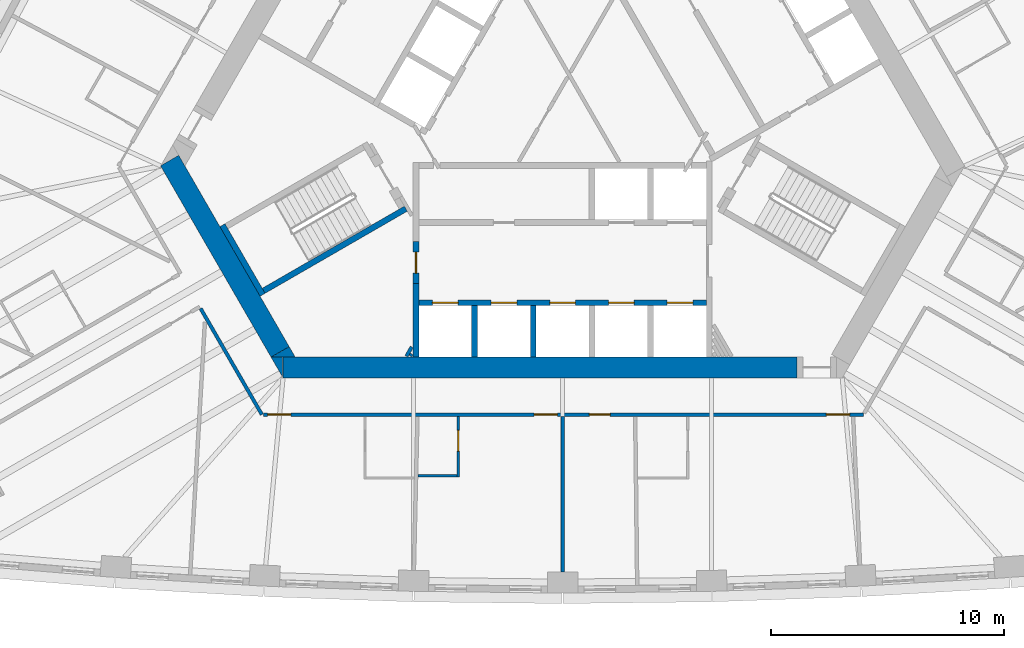
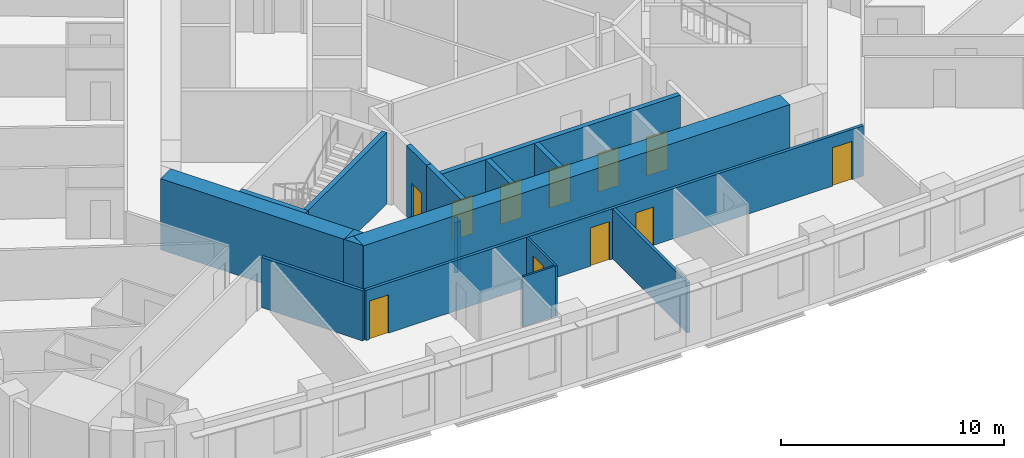
# One storey, part 4 of 13: 18 walls, 11 doors, 11 openings.
"""IFC4 building model written with IfcOpenShell, lengths in metres."""

from ifc_helpers import new_model, si_unit, direction, frame, frame_2d, origin, place, context, subcontext, project, spatial, polyline, rectangle, outline, extrude, material, layer, layer_set, type_object, element, fill, save


model = new_model("IFC4")

# Units and contexts
model_context = context("Model", 3, precision=1e-05, world=origin(), true_north=direction((0.0, 1.0)))
body_context = subcontext(model_context, "Body", "Model", "MODEL_VIEW")
ifc_project = project(units=[si_unit("LENGTHUNIT", "METRE"), si_unit("AREAUNIT", "SQUARE_METRE"), si_unit("VOLUMEUNIT", "CUBIC_METRE"), si_unit("PLANEANGLEUNIT", "RADIAN"), si_unit("MASSUNIT", "GRAM", prefix="KILO")], contexts=[model_context])

# Site, building, storey
site_placement = place(None, origin())
site = spatial("IfcSite", under=ifc_project, at=site_placement, CompositionType="ELEMENT")
building_placement = place(site_placement, origin())
building = spatial("IfcBuilding", under=site, at=building_placement, Name="Mestral Congress Tower", CompositionType="ELEMENT")
storey_placement = place(building_placement, frame((0.0, 0.0, 114.89990234375)))
storey = spatial("IfcBuildingStorey", under=building, at=storey_placement, Name="L27", CompositionType="ELEMENT", Elevation=114.89990234375)

# Walls
ifc_material_1 = material(Name="Fire-rated board partition")
ifc_layer_1 = layer(ifc_material_1, 0.14990234375)
ifc_layer_set_1 = layer_set([ifc_layer_1], Name="Fire-rated board partition")
wall_type_1 = type_object("IfcWallType", Name="Core partition 150", PredefinedType="PARTITIONING", material=ifc_layer_set_1)
wall_1_placement = place(storey_placement, frame((-6.707763671875, -12.068115234375, 0.0), z_axis=(0.0, 0.0, 1.0), x_axis=(0.500000789788, 0.8660249478, 0.0)))
element("IfcWall", 1, at=wall_1_placement, inside=storey, type_object=wall_type_1, Name="L27 core wall", PredefinedType="PARTITIONING", context=body_context, shape_type="SweptSolid", body=[
    extrude(rectangle(XDim=0.45556640625, YDim=0.14990234375, at=frame_2d((0.227783203125, 0.0))), origin(), (0.0, 0.0, 1.0), 2.75),
])
wall_2_placement = place(storey_placement, frame((-6.534423828125, -12.068115234375, 0.0), z_axis=(0.0, 0.0, 1.0), x_axis=(0.500240224089, 0.865886665912, 0.0)))
element("IfcWall", 2, at=wall_2_placement, inside=storey, type_object=wall_type_1, Name="L27 core wall", PredefinedType="PARTITIONING", context=body_context, shape_type="SweptSolid", body=[
    extrude(rectangle(XDim=0.10888671875, YDim=0.14990234375, at=frame_2d((0.054443359375, 0.0))), origin(), (0.0, 0.0, 1.0), 2.75),
])
ifc_material_2 = material(Name="Concrete C60/75", Category="concrete")
ifc_layer_2 = layer(ifc_material_2, 0.89990234375)
ifc_layer_set_2 = layer_set([ifc_layer_2], Name="Concrete C60/75")
wall_type_2 = type_object("IfcWallType", Name="Core wall RC 900", PredefinedType="SOLIDWALL", material=ifc_layer_set_2)
wall_3_placement = place(storey_placement, frame((-12.0185546875, -12.550048828125, 0.0), z_axis=(0.0, 0.0, 1.0), x_axis=(1.0, 0.0, 0.0)))
element("IfcWall", 3, at=wall_3_placement, inside=storey, type_object=wall_type_2, Name="L27 core wall", PredefinedType="SOLIDWALL", context=body_context, shape_type="SweptSolid", body=[
    extrude(rectangle(XDim=22.082763671875, YDim=0.89990234375, at=frame_2d((11.04150390625, 0.0))), origin(), (0.0, 0.0, 1.0), 3.900146484375),
])
placement = place(storey_placement, origin())
element("IfcWall", 4, at=placement, inside=storey, type_object=wall_type_2, Name="L27 core wall", PredefinedType="SOLIDWALL", context=body_context, shape_type="SweptSolid", body=[
    extrude(outline(polyline([(-12.528564453125, -12.10009765625), (-12.0205078125, -12.10009765625), (-12.0205078125, -12.97998046875), (-12.528564453125, -12.10009765625)])), origin(), (0.0, 0.0, 1.0), 3.900146484375),
])
wall_5_placement = place(storey_placement, frame((-12.134033203125, -11.88330078125, 0.0), z_axis=(0.0, 0.0, 1.0), x_axis=(-0.500005339912, 0.866022320763, 0.0)))
element("IfcWall", 5, at=wall_5_placement, inside=storey, type_object=wall_type_2, Name="L27 core wall", PredefinedType="SOLIDWALL", context=body_context, shape_type="SweptSolid", body=[
    extrude(rectangle(XDim=9.48779296875, YDim=0.89990234375, at=frame_2d((4.743896484375, 0.0))), origin(), (0.0, 0.0, 1.0), 3.900146484375),
])
element("IfcWall", 6, at=placement, inside=storey, type_object=wall_type_2, Name="L27 core wall", PredefinedType="SOLIDWALL", context=body_context, shape_type="SweptSolid", body=[
    extrude(outline(polyline([(-11.4892578125, -12.10009765625), (-12.50537109375, -12.10009765625), (-11.743408203125, -11.66015625), (-11.4892578125, -12.10009765625)])), origin(), (0.0, 0.0, 1.0), 3.900146484375),
])

# Wall, opening, door
ifc_material_3 = material(Name="Gypsum board partition on metal studs with mineral wool", Category="composite")
ifc_layer_3 = layer(ifc_material_3, 0.10009765625)
ifc_layer_set_3 = layer_set([ifc_layer_3], Name="Gypsum board partition on metal studs with mineral wool")
wall_type_3 = type_object("IfcWallType", Name="Hotel partition wall 100", PredefinedType="PARTITIONING", material=ifc_layer_set_3)
wall_7_placement = place(storey_placement, frame((-4.480224609375, -17.25, 0.0), z_axis=(0.0, 0.0, 1.0), x_axis=(0.0, 1.0, 0.0)))
wall_7 = element("IfcWall", 7, at=wall_7_placement, inside=storey, type_object=wall_type_3, Name="L27-h-pod03a", PredefinedType="PARTITIONING", context=body_context, shape_type="SweptSolid", body=[
    extrude(rectangle(XDim=2.60009765625, YDim=0.10009765625, at=frame_2d((1.300048828125, 0.0))), origin(), (0.0, 0.0, 1.0), 2.75),
])
opening_1_placement = place(wall_7_placement, frame((1.10009765625, 0.0, 0.0)))
opening_1 = element("IfcOpeningElement", 8, at=opening_1_placement, cuts=wall_7, Name="Opening H08-006", PredefinedType="OPENING", context=body_context, shape_type="SweptSolid", body=[
    extrude(rectangle(XDim=0.89990234375, YDim=2.10009765625, at=frame_2d((0.449951171875, 1.050048828125))), frame((0.0, 0.06005859375, 0.0), z_axis=(0.0, -1.0, 0.0), x_axis=(1.0, 0.0, 0.0)), (0.0, 0.0, 1.0), 0.1201171875),
])
ifc_material_4 = material(Name="Timber veneer door leaf in timber frame", Category="wood")
door_type_1 = type_object("IfcDoorType", Name="Bathroom door 900", OperationType="SINGLE_SWING_LEFT", PredefinedType="DOOR", material=ifc_material_4)
door_1_placement = place(opening_1_placement, origin())
door_1 = element("IfcDoor", 9, at=door_1_placement, inside=storey, type_object=door_type_1, Name="L27-h-d006", OperationType="SINGLE_SWING_RIGHT", OverallHeight=2.10009765625, OverallWidth=0.89990234375, PredefinedType="DOOR", context=body_context, shape_type="SweptSolid", body=[
    extrude(rectangle(XDim=0.89990234375, YDim=2.10009765625, at=frame_2d((0.449951171875, 1.050048828125))), frame((0.0, 0.02490234375, 0.0), z_axis=(0.0, -1.0, 0.0), x_axis=(1.0, 0.0, 0.0)), (0.0, 0.0, 1.0), 0.050048828125),
])
fill(opening_1, door_1)

# Walls
wall_8_placement = place(storey_placement, frame((-4.5302734375, -17.199951171875, 0.0), z_axis=(0.0, 0.0, 1.0), x_axis=(-1.0, 0.0, 0.0)))
element("IfcWall", 10, at=wall_8_placement, inside=storey, type_object=wall_type_3, Name="L27-h-pod03b", PredefinedType="PARTITIONING", context=body_context, shape_type="SweptSolid", body=[
    extrude(rectangle(XDim=1.679931640625, YDim=0.10009765625, at=frame_2d((0.83984375, 0.0))), origin(), (0.0, 0.0, 1.0), 2.75),
])
ifc_layer_4 = layer(ifc_material_3, 0.14990234375)
ifc_layer_set_4 = layer_set([ifc_layer_4], Name="Gypsum board partition on metal studs with mineral wool")
wall_type_4 = type_object("IfcWallType", Name="Hotel partition wall 150", PredefinedType="PARTITIONING", material=ifc_layer_set_4)
wall_9_placement = place(storey_placement, frame((-12.918212890625, -14.574951171875, 0.0), z_axis=(0.0, 0.0, 1.0), x_axis=(-0.500009150678, 0.866020120573, 0.0)))
element("IfcWall", 11, at=wall_9_placement, inside=storey, type_object=wall_type_4, Name="L27-h-cw12", PredefinedType="PARTITIONING", context=body_context, shape_type="SweptSolid", body=[
    extrude(rectangle(XDim=5.25830078125, YDim=0.14990234375, at=frame_2d((2.629150390625, 0.0))), origin(), (0.0, 0.0, 1.0), 2.75),
])

# Wall, openings, doors
wall_10_placement = place(storey_placement, frame((12.918212890625, -14.574951171875, 0.0), z_axis=(0.0, 0.0, 1.0), x_axis=(-1.0, 0.0, 0.0)))
wall_10 = element("IfcWall", 12, at=wall_10_placement, inside=storey, type_object=wall_type_4, Name="L27-h-cw13", PredefinedType="PARTITIONING", context=body_context, shape_type="SweptSolid", body=[
    extrude(rectangle(XDim=25.766357421875, YDim=0.14990234375, at=frame_2d((12.88330078125, 0.0))), origin(), (0.0, 0.0, 1.0), 2.75),
])
opening_2_placement = place(wall_10_placement, frame((24.58642578125, 0.0, 0.0)))
opening_2 = element("IfcOpeningElement", 13, at=opening_2_placement, cuts=wall_10, Name="Opening H08-003", PredefinedType="OPENING", context=body_context, shape_type="SweptSolid", body=[
    extrude(rectangle(XDim=1.0, YDim=2.10009765625, at=frame_2d((0.5, 1.050048828125))), frame((0.0, 0.0849609375, 0.0), z_axis=(0.0, -1.0, 0.0), x_axis=(1.0, 0.0, 0.0)), (0.0, 0.0, 1.0), 0.169921875),
])
opening_3_placement = place(wall_10_placement, frame((13.144287109375, 0.0, 0.0)))
opening_3 = element("IfcOpeningElement", 14, at=opening_3_placement, cuts=wall_10, Name="Opening H08-005", PredefinedType="OPENING", context=body_context, shape_type="SweptSolid", body=[
    extrude(rectangle(XDim=1.0, YDim=2.10009765625, at=frame_2d((0.5, 1.050048828125))), frame((0.0, 0.0849609375, 0.0), z_axis=(0.0, -1.0, 0.0), x_axis=(1.0, 0.0, 0.0)), (0.0, 0.0, 1.0), 0.169921875),
])
opening_4_placement = place(wall_10_placement, frame((10.8740234375, 0.0, 0.0)))
opening_4 = element("IfcOpeningElement", 15, at=opening_4_placement, cuts=wall_10, Name="Opening H08-007", PredefinedType="OPENING", context=body_context, shape_type="SweptSolid", body=[
    extrude(rectangle(XDim=0.89990234375, YDim=2.10009765625, at=frame_2d((0.449951171875, 1.050048828125))), frame((0.0, 0.0849609375, 0.0), z_axis=(0.0, -1.0, 0.0), x_axis=(1.0, 0.0, 0.0)), (0.0, 0.0, 1.0), 0.169921875),
])
opening_5_placement = place(wall_10_placement, frame((0.595947265625, 0.0, 0.0)))
opening_5 = element("IfcOpeningElement", 16, at=opening_5_placement, cuts=wall_10, Name="Opening H08-008", PredefinedType="OPENING", context=body_context, shape_type="SweptSolid", body=[
    extrude(rectangle(XDim=1.0, YDim=2.10009765625, at=frame_2d((0.5, 1.050048828125))), frame((0.0, 0.0849609375, 0.0), z_axis=(0.0, -1.0, 0.0), x_axis=(1.0, 0.0, 0.0)), (0.0, 0.0, 1.0), 0.169921875),
])
ifc_material_5 = material(Name="Timber veneer door leaf in metal frame", Category="wood")
door_type_2 = type_object("IfcDoorType", Name="Guest room entrance door 1000", OperationType="SINGLE_SWING_LEFT", PredefinedType="DOOR", material=ifc_material_5)
door_2_placement = place(opening_2_placement, origin())
door_2 = element("IfcDoor", 17, at=door_2_placement, inside=storey, type_object=door_type_2, Name="L27-h-d003", OperationType="SINGLE_SWING_RIGHT", OverallHeight=2.10009765625, OverallWidth=1.0, PredefinedType="DOOR", context=body_context, shape_type="SweptSolid", body=[
    extrude(rectangle(XDim=1.0, YDim=2.10009765625, at=frame_2d((0.5, 1.050048828125))), frame((0.0, 0.02490234375, 0.0), z_axis=(0.0, -1.0, 0.0), x_axis=(1.0, 0.0, 0.0)), (0.0, 0.0, 1.0), 0.050048828125),
])
fill(opening_2, door_2)
door_3_placement = place(opening_3_placement, origin())
door_3 = element("IfcDoor", 18, at=door_3_placement, inside=storey, type_object=door_type_2, Name="L27-h-d005", OperationType="SINGLE_SWING_LEFT", OverallHeight=2.10009765625, OverallWidth=1.0, PredefinedType="DOOR", context=body_context, shape_type="SweptSolid", body=[
    extrude(rectangle(XDim=1.0, YDim=2.10009765625, at=frame_2d((0.5, 1.050048828125))), frame((0.0, 0.02490234375, 0.0), z_axis=(0.0, -1.0, 0.0), x_axis=(1.0, 0.0, 0.0)), (0.0, 0.0, 1.0), 0.050048828125),
])
fill(opening_3, door_3)
door_4_placement = place(opening_5_placement, origin())
door_4 = element("IfcDoor", 19, at=door_4_placement, inside=storey, type_object=door_type_2, Name="L27-h-d008", OperationType="SINGLE_SWING_LEFT", OverallHeight=2.10009765625, OverallWidth=1.0, PredefinedType="DOOR", context=body_context, shape_type="SweptSolid", body=[
    extrude(rectangle(XDim=1.0, YDim=2.10009765625, at=frame_2d((0.5, 1.050048828125))), frame((0.0, 0.02490234375, 0.0), z_axis=(0.0, -1.0, 0.0), x_axis=(1.0, 0.0, 0.0)), (0.0, 0.0, 1.0), 0.050048828125),
])
fill(opening_5, door_4)
door_type_3 = type_object("IfcDoorType", Name="Service room door 900", OperationType="SINGLE_SWING_LEFT", PredefinedType="DOOR", material=ifc_material_5)
door_5_placement = place(opening_4_placement, origin())
door_5 = element("IfcDoor", 20, at=door_5_placement, inside=storey, type_object=door_type_3, Name="L27-h-d007", OperationType="SINGLE_SWING_RIGHT", OverallHeight=2.10009765625, OverallWidth=0.89990234375, PredefinedType="DOOR", context=body_context, shape_type="SweptSolid", body=[
    extrude(rectangle(XDim=0.89990234375, YDim=2.10009765625, at=frame_2d((0.449951171875, 1.050048828125))), frame((0.0, 0.02490234375, 0.0), z_axis=(0.0, -1.0, 0.0), x_axis=(1.0, 0.0, 0.0)), (0.0, 0.0, 1.0), 0.050048828125),
])
fill(opening_4, door_5)

# Walls
wall_11_placement = place(storey_placement, frame((0.0, -21.343505859375, 0.0), z_axis=(0.0, 0.0, 1.0), x_axis=(0.0, 1.0, 0.0)))
element("IfcWall", 21, at=wall_11_placement, inside=storey, type_object=wall_type_4, Name="L27-h-pw13", PredefinedType="PARTITIONING", context=body_context, shape_type="SweptSolid", body=[
    extrude(rectangle(XDim=6.693603515625, YDim=0.14990234375, at=frame_2d((3.3466796875, 0.0))), origin(), (0.0, 0.0, 1.0), 2.75),
])
ifc_layer_5 = layer(ifc_material_2, 0.25)
ifc_layer_set_5 = layer_set([ifc_layer_5], Name="Concrete C60/75")
wall_type_5 = type_object("IfcWallType", Name="Shaft wall RC 250", PredefinedType="SOLIDWALL", material=ifc_layer_set_5)
wall_12_placement = place(storey_placement, frame((-3.780029296875, -12.10009765625, 0.0), z_axis=(0.0, 0.0, 1.0), x_axis=(0.0, 1.0, 0.0)))
element("IfcWall", 22, at=wall_12_placement, inside=storey, type_object=wall_type_5, Name="L27 core wall", PredefinedType="SOLIDWALL", context=body_context, shape_type="SweptSolid", body=[
    extrude(rectangle(XDim=2.199951171875, YDim=0.25, at=frame_2d((1.10009765625, 0.0))), origin(), (0.0, 0.0, 1.0), 3.900146484375),
])
wall_13_placement = place(storey_placement, frame((-6.300048828125, -12.10009765625, 0.0), z_axis=(0.0, 0.0, 1.0), x_axis=(0.0, 1.0, 0.0)))
element("IfcWall", 23, at=wall_13_placement, inside=storey, type_object=wall_type_5, Name="L27 core wall", PredefinedType="SOLIDWALL", context=body_context, shape_type="SweptSolid", body=[
    extrude(rectangle(XDim=3.1455078125, YDim=0.25, at=frame_2d((1.57275390625, 0.0))), origin(), (0.0, 0.0, 1.0), 3.900146484375),
])
wall_14_placement = place(storey_placement, frame((-1.260009765625, -12.10009765625, 0.0), z_axis=(0.0, 0.0, 1.0), x_axis=(0.0, 1.0, 0.0)))
element("IfcWall", 24, at=wall_14_placement, inside=storey, type_object=wall_type_5, Name="L27 core wall", PredefinedType="SOLIDWALL", context=body_context, shape_type="SweptSolid", body=[
    extrude(rectangle(XDim=2.199951171875, YDim=0.25, at=frame_2d((1.10009765625, 0.0))), origin(), (0.0, 0.0, 1.0), 3.900146484375),
])

# Wall, openings, doors
wall_15_placement = place(storey_placement, frame((-6.175048828125, -9.77490234375, 0.0), z_axis=(0.0, 0.0, 1.0), x_axis=(1.0, 0.0, 0.0)))
wall_15 = element("IfcWall", 25, at=wall_15_placement, inside=storey, type_object=wall_type_5, Name="L27 door wall", PredefinedType="SOLIDWALL", context=body_context, shape_type="SweptSolid", body=[
    extrude(rectangle(XDim=12.35009765625, YDim=0.25, at=frame_2d((6.175048828125, 0.0))), origin(), (0.0, 0.0, 1.0), 3.900146484375),
])
opening_6_placement = place(wall_15_placement, frame((0.5849609375, 0.0, 0.0)))
opening_6 = element("IfcOpeningElement", 26, at=opening_6_placement, cuts=wall_15, Name="Opening LD-SOA1", PredefinedType="OPENING", context=body_context, shape_type="SweptSolid", body=[
    extrude(rectangle(XDim=1.10009765625, YDim=2.10009765625, at=frame_2d((0.550048828125, 1.050048828125))), frame((0.0, 0.135009765625, 0.0), z_axis=(0.0, -1.0, 0.0), x_axis=(1.0, 0.0, 0.0)), (0.0, 0.0, 1.0), 0.27001953125),
])
opening_7_placement = place(wall_15_placement, frame((3.10498046875, 0.0, 0.0)))
opening_7 = element("IfcOpeningElement", 27, at=opening_7_placement, cuts=wall_15, Name="Opening LD-SOA2", PredefinedType="OPENING", context=body_context, shape_type="SweptSolid", body=[
    extrude(rectangle(XDim=1.10009765625, YDim=2.10009765625, at=frame_2d((0.550048828125, 1.050048828125))), frame((0.0, 0.135009765625, 0.0), z_axis=(0.0, -1.0, 0.0), x_axis=(1.0, 0.0, 0.0)), (0.0, 0.0, 1.0), 0.27001953125),
])
opening_8_placement = place(wall_15_placement, frame((5.625, 0.0, 0.0)))
opening_8 = element("IfcOpeningElement", 28, at=opening_8_placement, cuts=wall_15, Name="Opening LD-SOA3", PredefinedType="OPENING", context=body_context, shape_type="SweptSolid", body=[
    extrude(rectangle(XDim=1.10009765625, YDim=2.10009765625, at=frame_2d((0.550048828125, 1.050048828125))), frame((0.0, 0.135009765625, 0.0), z_axis=(0.0, -1.0, 0.0), x_axis=(1.0, 0.0, 0.0)), (0.0, 0.0, 1.0), 0.27001953125),
])
opening_9_placement = place(wall_15_placement, frame((8.14501953125, 0.0, 0.0)))
opening_9 = element("IfcOpeningElement", 29, at=opening_9_placement, cuts=wall_15, Name="Opening LD-SOA4", PredefinedType="OPENING", context=body_context, shape_type="SweptSolid", body=[
    extrude(rectangle(XDim=1.10009765625, YDim=2.10009765625, at=frame_2d((0.550048828125, 1.050048828125))), frame((0.0, 0.135009765625, 0.0), z_axis=(0.0, -1.0, 0.0), x_axis=(1.0, 0.0, 0.0)), (0.0, 0.0, 1.0), 0.27001953125),
])
opening_10_placement = place(wall_15_placement, frame((10.6650390625, 0.0, 0.0)))
opening_10 = element("IfcOpeningElement", 30, at=opening_10_placement, cuts=wall_15, Name="Opening LD-SOA5", PredefinedType="OPENING", context=body_context, shape_type="SweptSolid", body=[
    extrude(rectangle(XDim=1.10009765625, YDim=2.10009765625, at=frame_2d((0.550048828125, 1.050048828125))), frame((0.0, 0.135009765625, 0.0), z_axis=(0.0, -1.0, 0.0), x_axis=(1.0, 0.0, 0.0)), (0.0, 0.0, 1.0), 0.27001953125),
])
ifc_material_6 = material(Name="Fire-rated steel door set", Category="steel")
door_type_4 = type_object("IfcDoorType", Name="Core door LD 1100x2100", OperationType="DOUBLE_DOOR_SLIDING", PredefinedType="DOOR", material=ifc_material_6)
door_6_placement = place(opening_6_placement, origin())
door_6 = element("IfcDoor", 31, at=door_6_placement, inside=storey, type_object=door_type_4, Name="Door LD-SOA1", OperationType="DOUBLE_DOOR_SLIDING", OverallHeight=2.10009765625, OverallWidth=1.10009765625, PredefinedType="DOOR", context=body_context, shape_type="SweptSolid", body=[
    extrude(rectangle(XDim=1.10009765625, YDim=2.10009765625, at=frame_2d((0.550048828125, 1.050048828125))), frame((0.0, 0.02490234375, 0.0), z_axis=(0.0, -1.0, 0.0), x_axis=(1.0, 0.0, 0.0)), (0.0, 0.0, 1.0), 0.050048828125),
])
fill(opening_6, door_6)
door_7_placement = place(opening_7_placement, origin())
door_7 = element("IfcDoor", 32, at=door_7_placement, inside=storey, type_object=door_type_4, Name="Door LD-SOA2", OperationType="DOUBLE_DOOR_SLIDING", OverallHeight=2.10009765625, OverallWidth=1.10009765625, PredefinedType="DOOR", context=body_context, shape_type="SweptSolid", body=[
    extrude(rectangle(XDim=1.10009765625, YDim=2.10009765625, at=frame_2d((0.550048828125, 1.050048828125))), frame((0.0, 0.02490234375, 0.0), z_axis=(0.0, -1.0, 0.0), x_axis=(1.0, 0.0, 0.0)), (0.0, 0.0, 1.0), 0.050048828125),
])
fill(opening_7, door_7)
door_8_placement = place(opening_8_placement, origin())
door_8 = element("IfcDoor", 33, at=door_8_placement, inside=storey, type_object=door_type_4, Name="Door LD-SOA3", OperationType="DOUBLE_DOOR_SLIDING", OverallHeight=2.10009765625, OverallWidth=1.10009765625, PredefinedType="DOOR", context=body_context, shape_type="SweptSolid", body=[
    extrude(rectangle(XDim=1.10009765625, YDim=2.10009765625, at=frame_2d((0.550048828125, 1.050048828125))), frame((0.0, 0.02490234375, 0.0), z_axis=(0.0, -1.0, 0.0), x_axis=(1.0, 0.0, 0.0)), (0.0, 0.0, 1.0), 0.050048828125),
])
fill(opening_8, door_8)
door_9_placement = place(opening_9_placement, origin())
door_9 = element("IfcDoor", 34, at=door_9_placement, inside=storey, type_object=door_type_4, Name="Door LD-SOA4", OperationType="DOUBLE_DOOR_SLIDING", OverallHeight=2.10009765625, OverallWidth=1.10009765625, PredefinedType="DOOR", context=body_context, shape_type="SweptSolid", body=[
    extrude(rectangle(XDim=1.10009765625, YDim=2.10009765625, at=frame_2d((0.550048828125, 1.050048828125))), frame((0.0, 0.02490234375, 0.0), z_axis=(0.0, -1.0, 0.0), x_axis=(1.0, 0.0, 0.0)), (0.0, 0.0, 1.0), 0.050048828125),
])
fill(opening_9, door_9)
door_10_placement = place(opening_10_placement, origin())
door_10 = element("IfcDoor", 35, at=door_10_placement, inside=storey, type_object=door_type_4, Name="Door LD-SOA5", OperationType="DOUBLE_DOOR_SLIDING", OverallHeight=2.10009765625, OverallWidth=1.10009765625, PredefinedType="DOOR", context=body_context, shape_type="SweptSolid", body=[
    extrude(rectangle(XDim=1.10009765625, YDim=2.10009765625, at=frame_2d((0.550048828125, 1.050048828125))), frame((0.0, 0.02490234375, 0.0), z_axis=(0.0, -1.0, 0.0), x_axis=(1.0, 0.0, 0.0)), (0.0, 0.0, 1.0), 0.050048828125),
])
fill(opening_10, door_10)

# Wall, opening, door
wall_16_placement = place(storey_placement, frame((-6.300048828125, -7.154296875, 0.0), z_axis=(0.0, 0.0, 1.0), x_axis=(0.0, -1.0, 0.0)))
wall_16 = element("IfcWall", 36, at=wall_16_placement, inside=storey, type_object=wall_type_5, Name="L27 door wall", PredefinedType="SOLIDWALL", context=body_context, shape_type="SweptSolid", body=[
    extrude(rectangle(XDim=1.800048828125, YDim=0.25, at=frame_2d((0.89990234375, 0.0))), origin(), (0.0, 0.0, 1.0), 3.900146484375),
])
opening_11_placement = place(wall_16_placement, frame((0.449951171875, 0.0, 0.0)))
opening_11 = element("IfcOpeningElement", 37, at=opening_11_placement, cuts=wall_16, Name="Opening TD3", PredefinedType="OPENING", context=body_context, shape_type="SweptSolid", body=[
    extrude(rectangle(XDim=0.89990234375, YDim=2.10009765625, at=frame_2d((0.449951171875, 1.050048828125))), frame((0.0, 0.135009765625, 0.0), z_axis=(0.0, -1.0, 0.0), x_axis=(1.0, 0.0, 0.0)), (0.0, 0.0, 1.0), 0.27001953125),
])
door_type_5 = type_object("IfcDoorType", Name="Core door SR 900x2100", OperationType="SINGLE_SWING_LEFT", PredefinedType="DOOR", material=ifc_material_6)
door_11_placement = place(opening_11_placement, origin())
door_11 = element("IfcDoor", 38, at=door_11_placement, inside=storey, type_object=door_type_5, Name="Door TD3", OperationType="SINGLE_SWING_LEFT", OverallHeight=2.10009765625, OverallWidth=0.89990234375, PredefinedType="DOOR", context=body_context, shape_type="SweptSolid", body=[
    extrude(rectangle(XDim=0.89990234375, YDim=2.10009765625, at=frame_2d((0.449951171875, 1.050048828125))), frame((0.0, 0.02490234375, 0.0), z_axis=(0.0, -1.0, 0.0), x_axis=(1.0, 0.0, 0.0)), (0.0, 0.0, 1.0), 0.050048828125),
])
fill(opening_11, door_11)

# Walls
ifc_layer_6 = layer(ifc_material_2, 0.25)
ifc_layer_set_6 = layer_set([ifc_layer_6], Name="Concrete C60/75")
wall_type_6 = type_object("IfcWallType", Name="Stair wall RC 250", PredefinedType="SOLIDWALL", material=ifc_layer_set_6)
wall_17_placement = place(storey_placement, frame((-12.885498046875, -9.431396484375, 0.0), z_axis=(0.0, 0.0, 1.0), x_axis=(-0.500020560727, 0.866013532718, 0.0)))
element("IfcWall", 39, at=wall_17_placement, inside=storey, type_object=wall_type_6, Name="L27 core wall", PredefinedType="SOLIDWALL", context=body_context, shape_type="SweptSolid", body=[
    extrude(rectangle(XDim=3.449951171875, YDim=0.25, at=frame_2d((1.72509765625, 0.0))), origin(), (0.0, 0.0, 1.0), 3.900146484375),
])
wall_18_placement = place(storey_placement, frame((-12.83984375, -9.2607421875, 0.0), z_axis=(0.0, 0.0, 1.0), x_axis=(0.866016039709, 0.500016218704, 0.0)))
element("IfcWall", 40, at=wall_18_placement, inside=storey, type_object=wall_type_6, Name="L27 core wall", PredefinedType="SOLIDWALL", context=body_context, shape_type="SweptSolid", body=[
    extrude(rectangle(XDim=7.050048828125, YDim=0.25, at=frame_2d((3.52490234375, 0.0))), origin(), (0.0, 0.0, 1.0), 3.900146484375),
])

save(model, "model.ifc")
